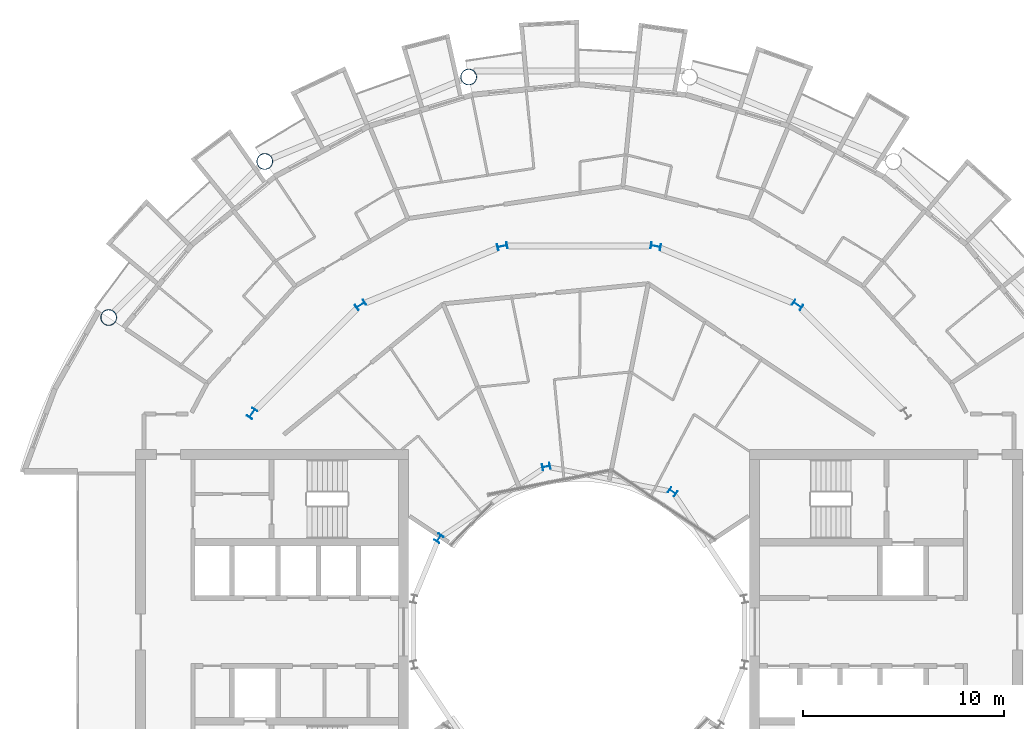
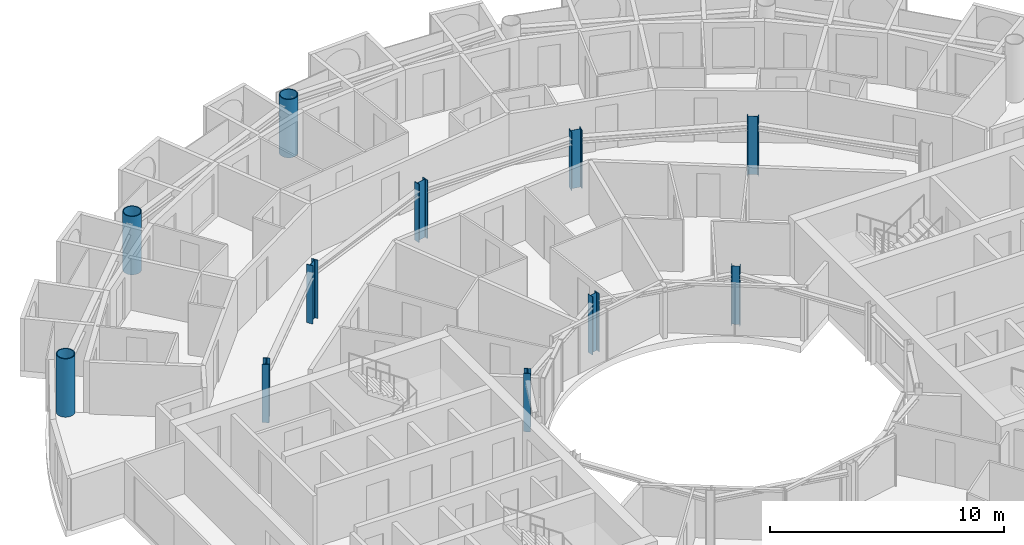
# One storey, part 3 of 27: 11 columns.
"""IFC4 building model written with IfcOpenShell, lengths in metres."""

from ifc_helpers import new_model, si_unit, direction, frame, origin, origin_2d, place, context, subcontext, project, spatial, hollow_circle, i_section, extrude, material, material_profile, profile_set, type_object, element, save


model = new_model("IFC4")

# Units and contexts
model_context = context("Model", 3, precision=1e-05, world=origin(), true_north=direction((0.0, 1.0)))
body_context = subcontext(model_context, "Body", "Model", "MODEL_VIEW")
ifc_project = project(units=[si_unit("LENGTHUNIT", "METRE"), si_unit("AREAUNIT", "SQUARE_METRE"), si_unit("VOLUMEUNIT", "CUBIC_METRE"), si_unit("PLANEANGLEUNIT", "RADIAN"), si_unit("MASSUNIT", "GRAM", prefix="KILO")], contexts=[model_context])

# Site, building, storey
site_placement = place(None, origin())
site = spatial("IfcSite", under=ifc_project, at=site_placement, CompositionType="ELEMENT")
building_placement = place(site_placement, origin())
building = spatial("IfcBuilding", under=site, at=building_placement, Name="Maasbend Ring Residences", CompositionType="ELEMENT")
storey_placement = place(building_placement, frame((0.0, 0.0, 145.199951171875)))
storey = spatial("IfcBuildingStorey", under=building, at=storey_placement, Name="L41", CompositionType="ELEMENT", Elevation=145.199951171875)

# Columns
ifc_material_1 = material(Name="Composite concrete-filled steel tube S460NH / C80/95", Category="concrete")
ifc_material_profile_1 = material_profile(ifc_material_1, hollow_circle(Radius=0.406494140625, WallThickness=0.0400390625, at=origin_2d()), Name="Composite tube column CHS 813x40")
ifc_profile_set_1 = profile_set([ifc_material_profile_1], Name="Composite concrete-filled steel tube S460NH / C80/95")
column_type_1 = type_object("IfcColumnType", Name="Composite tube column CHS 813x40", PredefinedType="COLUMN", material=ifc_profile_set_1)
for number, where, z_axis, x_axis, name in (
    (1, (-5.50146484375, 27.658203125, 0.0), (0.0, 0.0, 1.0), (1.0, 0.0, 0.0), "Outer column R5"),
    (2, (-15.6669921875, 23.447509765625, 0.0), (0.0, 0.0, 1.0), (1.0, 0.0, 0.0), "Outer column R6"),
    (3, (-23.447509765625, 15.6669921875, 0.0), (0.0, 0.0, 1.0), (1.0, 0.0, 0.0), "Outer column R7"),
):
    element("IfcColumn", number, at=place(storey_placement, frame(where, z_axis=z_axis, x_axis=x_axis)), inside=storey, type_object=column_type_1, Name=name, PredefinedType="COLUMN", context=body_context, shape_type="SweptSolid", body=[
        extrude(hollow_circle(Radius=0.406494140625, WallThickness=0.0400390625, at=origin_2d()), origin(), (0.0, 0.0, 1.0), 3.050048828125),
    ])
ifc_material_2 = material(Name="Steel S355J2", Category="steel")
ifc_material_profile_2 = material_profile(ifc_material_2, i_section(OverallWidth=0.300048828125, OverallDepth=0.389892578125, WebThickness=0.010986328125, FlangeThickness=0.01904296875, FilletRadius=0.027099609375, at=origin_2d()), Name="HEA 400")
ifc_profile_set_2 = profile_set([ifc_material_profile_2], Name="Steel S355J2")
column_type_2 = type_object("IfcColumnType", Name="Steel column HEA 400", PredefinedType="COLUMN", material=ifc_profile_set_2)
for number, where, z_axis, x_axis, name in (
    (4, (4.666748046875, 6.984375, 0.0), (0.0, 0.0, 1.0), (0.55557023302, 0.831469612303, 0.0), "Well ring column R3"),
    (5, (-1.638916015625, 8.238525390625, 0.0), (0.0, 0.0, 1.0), (-0.195090322016, 0.980785280403, 0.0), "Well ring column R5"),
    (6, (-6.984375, 4.666748046875, 0.0), (0.0, 0.0, 1.0), (-0.831469612303, 0.55557023302, 0.0), "Well ring column R7"),
):
    element("IfcColumn", number, at=place(storey_placement, frame(where, z_axis=z_axis, x_axis=x_axis)), inside=storey, type_object=column_type_2, Name=name, PredefinedType="COLUMN", context=body_context, shape_type="SweptSolid", body=[
        extrude(i_section(OverallWidth=0.300048828125, OverallDepth=0.389892578125, WebThickness=0.010986328125, FlangeThickness=0.01904296875, FilletRadius=0.027099609375, at=origin_2d()), origin(), (0.0, 0.0, 1.0), 3.050048828125),
    ])
ifc_material_3 = material(Name="Steel S355J2", Category="steel")
ifc_material_profile_3 = material_profile(ifc_material_3, i_section(OverallWidth=0.300048828125, OverallDepth=0.5, WebThickness=0.014404296875, FlangeThickness=0.028076171875, FilletRadius=0.027099609375, at=origin_2d()), Name="HEB 500")
ifc_profile_set_3 = profile_set([ifc_material_profile_3], Name="Steel S355J2")
column_type_3 = type_object("IfcColumnType", Name="Steel column HEB 500", PredefinedType="COLUMN", material=ifc_profile_set_3)
for number, where, z_axis, x_axis, name in (
    (7, (10.88916015625, 16.296875, 0.0), (0.0, 0.0, 1.0), (0.55557023302, 0.831469612303, 0.0), "Corridor ring column R3"),
    (8, (3.82373046875, 19.223388671875, 0.0), (0.0, 0.0, 1.0), (0.195090322016, 0.980785280403, 0.0), "Corridor ring column R4"),
    (9, (-3.82373046875, 19.223388671875, 0.0), (0.0, 0.0, 1.0), (-0.195090322016, 0.980785280403, 0.0), "Corridor ring column R5"),
    (10, (-10.88916015625, 16.296875, 0.0), (0.0, 0.0, 1.0), (-0.55557023302, 0.831469612303, 0.0), "Corridor ring column R6"),
    (11, (-16.296875, 10.88916015625, 0.0), (0.0, 0.0, 1.0), (-0.831469612303, 0.55557023302, 0.0), "Corridor ring column R7"),
):
    element("IfcColumn", number, at=place(storey_placement, frame(where, z_axis=z_axis, x_axis=x_axis)), inside=storey, type_object=column_type_3, Name=name, PredefinedType="COLUMN", context=body_context, shape_type="SweptSolid", body=[
        extrude(i_section(OverallWidth=0.300048828125, OverallDepth=0.5, WebThickness=0.014404296875, FlangeThickness=0.028076171875, FilletRadius=0.027099609375, at=origin_2d()), origin(), (0.0, 0.0, 1.0), 3.050048828125),
    ])

save(model, "model.ifc")
